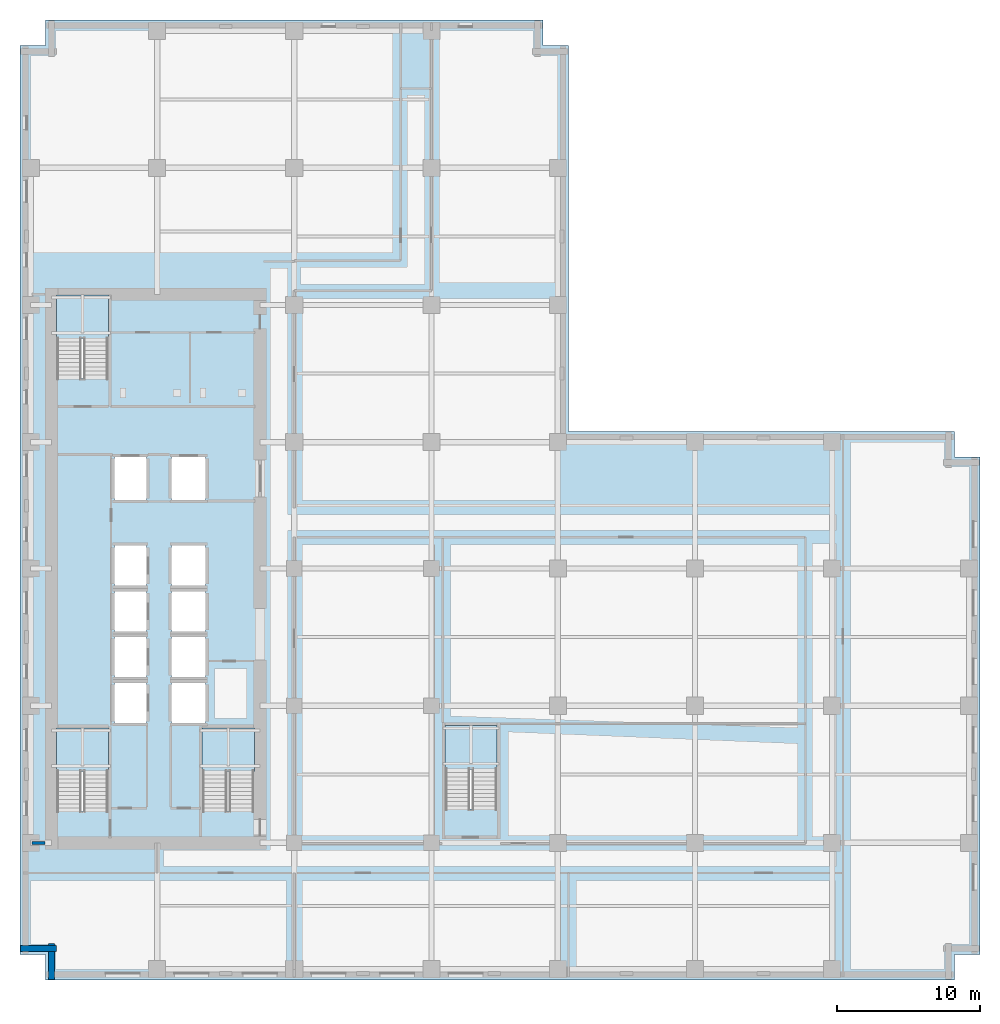
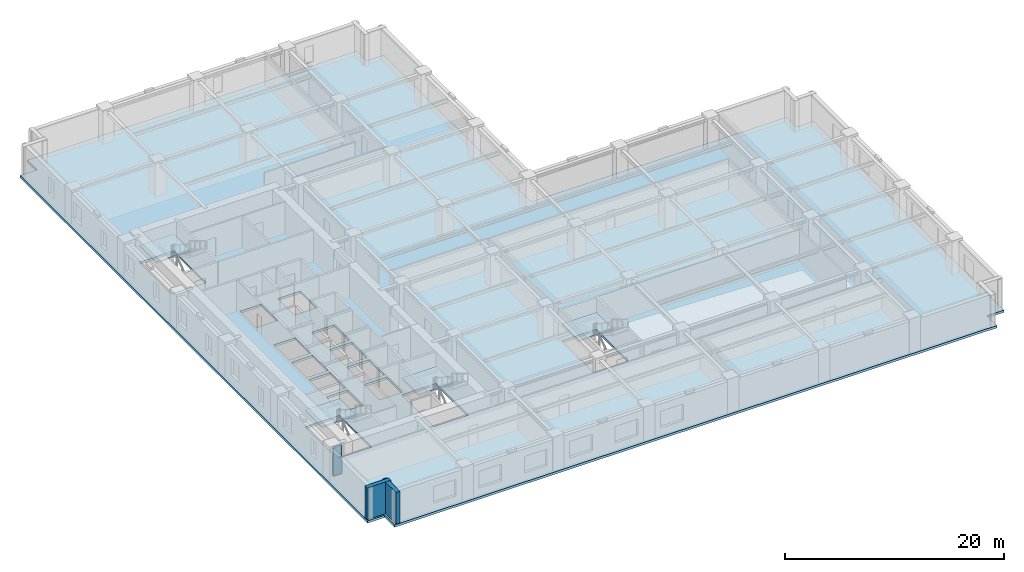
# One storey, part 3 of 13: 5 slabs, 3 walls, 4 elements without a shape of their own.
"""IFC4 building model written with IfcOpenShell, lengths in metres."""

from ifc_helpers import new_model, si_unit, direction, frame, frame_2d, origin, place, context, subcontext, project, spatial, polyline, rectangle, outline, extrude, material, layer, layer_set, type_object, element, aggregate, save


model = new_model("IFC4")

# Units and contexts
model_context = context("Model", 3, precision=1e-05, world=origin(), true_north=direction((0.0, 1.0)))
body_context = subcontext(model_context, "Body", "Model", "MODEL_VIEW")
ifc_project = project(units=[si_unit("LENGTHUNIT", "METRE"), si_unit("AREAUNIT", "SQUARE_METRE"), si_unit("VOLUMEUNIT", "CUBIC_METRE"), si_unit("PLANEANGLEUNIT", "RADIAN"), si_unit("MASSUNIT", "GRAM", prefix="KILO")], contexts=[model_context])

# Site, building, storey
site_placement = place(None, origin())
site = spatial("IfcSite", under=ifc_project, at=site_placement, CompositionType="ELEMENT")
building_placement = place(site_placement, origin())
building = spatial("IfcBuilding", under=site, at=building_placement, Name="Norrvale University Quadrangle", CompositionType="ELEMENT")
storey_placement = place(building_placement, frame((0.0, 0.0, 47.0)))
storey = spatial("IfcBuildingStorey", under=building, at=storey_placement, Name="L11", CompositionType="ELEMENT", Elevation=47.0)

# Stair, slab
ifc_material_1 = material(Name="Concrete C40/50", Category="concrete")
stair_type = type_object("IfcStairType", Name="Stair Tower Typ 3800", PredefinedType="TWO_STRAIGHT_RUN_STAIR", material=ifc_material_1)
stair_1_placement = place(storey_placement, origin())
stair_1 = element("IfcStair", 1, at=stair_1_placement, inside=storey, type_object=stair_type, Name="Exit Stair ST-01 L11", PredefinedType="TWO_STRAIGHT_RUN_STAIR")
ifc_layer_1 = layer(ifc_material_1, 0.199951171875, Name="Concrete C40/50")
ifc_layer_set_1 = layer_set([ifc_layer_1], Name="Concrete C40/50")
slab_type_1 = type_object("IfcSlabType", Name="Slab Landing 200", PredefinedType="LANDING", material=ifc_layer_set_1)
slab_1_placement = place(storey_placement, frame((0.0, 0.0, 1.699951171875)))
slab_1 = element("IfcSlab", 2, at=slab_1_placement, type_object=slab_type_1, Name="Exit Stair ST-01 L11 Mid Landing", PredefinedType="LANDING", context=body_context, shape_type="SweptSolid", body=[
    extrude(outline(polyline([(2.550048828125, 14.590087890625), (6.199951171875, 14.590087890625), (6.199951171875, 17.64990234375), (2.550048828125, 17.64990234375), (2.550048828125, 14.590087890625)])), origin(), (0.0, 0.0, 1.0), 0.199951171875),
])
aggregate(stair_1, [slab_1])

stair_2_placement = place(storey_placement, origin())
stair_2 = element("IfcStair", 3, at=stair_2_placement, inside=storey, type_object=stair_type, Name="Exit Stair ST-02 L11", PredefinedType="TWO_STRAIGHT_RUN_STAIR")
slab_2_placement = place(storey_placement, frame((0.0, 0.0, 1.699951171875)))
slab_2 = element("IfcSlab", 4, at=slab_2_placement, type_object=slab_type_1, Name="Exit Stair ST-02 L11 Mid Landing", PredefinedType="LANDING", context=body_context, shape_type="SweptSolid", body=[
    extrude(outline(polyline([(2.550048828125, 44.889892578125), (6.199951171875, 44.889892578125), (6.199951171875, 47.949951171875), (2.550048828125, 47.949951171875), (2.550048828125, 44.889892578125)])), origin(), (0.0, 0.0, 1.0), 0.199951171875),
])
aggregate(stair_2, [slab_2])

stair_3_placement = place(storey_placement, origin())
stair_3 = element("IfcStair", 5, at=stair_3_placement, inside=storey, type_object=stair_type, Name="Exit Stair ST-03 L11", PredefinedType="TWO_STRAIGHT_RUN_STAIR")
slab_3_placement = place(storey_placement, frame((0.0, 0.0, 1.699951171875)))
slab_3 = element("IfcSlab", 6, at=slab_3_placement, type_object=slab_type_1, Name="Exit Stair ST-03 L11 Mid Landing", PredefinedType="LANDING", context=body_context, shape_type="SweptSolid", body=[
    extrude(outline(polyline([(12.75, 14.590087890625), (16.39990234375, 14.590087890625), (16.39990234375, 17.64990234375), (12.75, 17.64990234375), (12.75, 14.590087890625)])), origin(), (0.0, 0.0, 1.0), 0.199951171875),
])
aggregate(stair_3, [slab_3])

stair_4_placement = place(storey_placement, origin())
stair_4 = element("IfcStair", 7, at=stair_4_placement, inside=storey, type_object=stair_type, Name="Exit Stair ST-04 L11", PredefinedType="TWO_STRAIGHT_RUN_STAIR")
slab_4_placement = place(storey_placement, frame((0.0, 0.0, 1.699951171875)))
slab_4 = element("IfcSlab", 8, at=slab_4_placement, type_object=slab_type_1, Name="Exit Stair ST-04 L11 Mid Landing", PredefinedType="LANDING", context=body_context, shape_type="SweptSolid", body=[
    extrude(outline(polyline([(29.75, 14.739990234375), (33.39990234375, 14.739990234375), (33.39990234375, 17.800048828125), (29.75, 17.800048828125), (29.75, 14.739990234375)])), origin(), (0.0, 0.0, 1.0), 0.199951171875),
])
aggregate(stair_4, [slab_4])

# Slab
ifc_layer_2 = layer(ifc_material_1, 0.260009765625, Name="Concrete C40/50")
ifc_layer_set_2 = layer_set([ifc_layer_2], Name="Concrete C40/50")
slab_type_2 = type_object("IfcSlabType", Name="Slab Tower Typ 260", PredefinedType="FLOOR", material=ifc_layer_set_2)
slab_5_placement = place(storey_placement, frame((0.0, 0.0, -0.260009765625)))
element("IfcSlab", 9, at=slab_5_placement, inside=storey, type_object=slab_type_2, Name="Tower L11 Floor Slab", PredefinedType="FLOOR", context=body_context, shape_type="SweptSolid", body=[
    extrude(outline(polyline([(1.800048828125, 0.0), (65.39990234375, 0.0), (65.39990234375, 1.800048828125), (67.199951171875, 1.800048828125), (67.199951171875, 36.60009765625), (65.39990234375, 36.60009765625), (65.39990234375, 38.39990234375), (38.39990234375, 38.39990234375), (38.39990234375, 65.39990234375), (36.60009765625, 65.39990234375), (36.60009765625, 67.199951171875), (1.800048828125, 67.199951171875), (1.800048828125, 65.39990234375), (0.0, 65.39990234375), (0.0, 1.800048828125), (1.800048828125, 1.800048828125), (1.800048828125, 0.0)]), holes=[polyline([(2.550048828125, 11.81005859375), (6.199951171875, 11.81005859375), (6.199951171875, 17.64990234375), (2.550048828125, 17.64990234375), (2.550048828125, 11.81005859375)]), polyline([(2.550048828125, 42.110107421875), (6.199951171875, 42.110107421875), (6.199951171875, 47.949951171875), (2.550048828125, 47.949951171875), (2.550048828125, 42.110107421875)]), polyline([(12.75, 11.81005859375), (16.39990234375, 11.81005859375), (16.39990234375, 17.64990234375), (12.75, 17.64990234375), (12.75, 11.81005859375)]), polyline([(29.75, 11.9599609375), (33.39990234375, 11.9599609375), (33.39990234375, 17.800048828125), (29.75, 17.800048828125), (29.75, 11.9599609375)]), polyline([(6.60009765625, 18.0), (8.85009765625, 18.0), (8.85009765625, 20.800048828125), (6.60009765625, 20.800048828125), (6.60009765625, 18.0)]), polyline([(6.60009765625, 21.199951171875), (8.85009765625, 21.199951171875), (8.85009765625, 24.0), (6.60009765625, 24.0), (6.60009765625, 21.199951171875)]), polyline([(6.60009765625, 24.39990234375), (8.85009765625, 24.39990234375), (8.85009765625, 27.199951171875), (6.60009765625, 27.199951171875), (6.60009765625, 24.39990234375)]), polyline([(6.60009765625, 27.60009765625), (8.85009765625, 27.60009765625), (8.85009765625, 30.39990234375), (6.60009765625, 30.39990234375), (6.60009765625, 27.60009765625)]), polyline([(10.60009765625, 18.0), (13.0, 18.0), (13.0, 20.800048828125), (10.60009765625, 20.800048828125), (10.60009765625, 18.0)]), polyline([(10.60009765625, 21.199951171875), (13.0, 21.199951171875), (13.0, 24.0), (10.60009765625, 24.0), (10.60009765625, 21.199951171875)]), polyline([(10.60009765625, 24.39990234375), (13.0, 24.39990234375), (13.0, 27.199951171875), (10.60009765625, 27.199951171875), (10.60009765625, 24.39990234375)]), polyline([(10.60009765625, 27.60009765625), (13.0, 27.60009765625), (13.0, 30.39990234375), (10.60009765625, 30.39990234375), (10.60009765625, 27.60009765625)]), polyline([(6.60009765625, 33.60009765625), (8.85009765625, 33.60009765625), (8.85009765625, 36.60009765625), (6.60009765625, 36.60009765625), (6.60009765625, 33.60009765625)]), polyline([(10.60009765625, 33.60009765625), (13.0, 33.60009765625), (13.0, 36.60009765625), (10.60009765625, 36.60009765625), (10.60009765625, 33.60009765625)])]), origin(), (0.0, 0.0, 1.0), 0.260009765625),
])

# Walls
ifc_material_2 = material(Name="Buff Norman Clay Brick Masonry", Category="masonry")
ifc_layer_3 = layer(ifc_material_2, 0.419921875, Name="Buff Norman Clay Brick Masonry")
ifc_layer_set_3 = layer_set([ifc_layer_3], Name="Buff Norman Clay Brick Masonry")
wall_type_1 = type_object("IfcWallType", Name="Wall Buff Brick 420", PredefinedType="SOLIDWALL", material=ifc_layer_set_3)
for number, where, z_axis, x_axis, name in (
    (10, (0.0400390625, 2.18994140625, 0.0), (0.0, 0.0, 1.0), (1.0, 0.0, 0.0), "Exterior Brick Facade Wall L11-15.1"),
    (11, (2.18994140625, 2.5400390625, 0.0), (0.0, 0.0, 1.0), (0.0, -1.0, 0.0), "Exterior Brick Facade Wall L11-16.1"),
):
    element("IfcWall", number, at=place(storey_placement, frame(where, z_axis=z_axis, x_axis=x_axis)), inside=storey, type_object=wall_type_1, Name=name, PredefinedType="SOLIDWALL", context=body_context, shape_type="SweptSolid", body=[
        extrude(rectangle(XDim=2.5, YDim=0.419921875, at=frame_2d((1.25, 0.0))), origin(), (0.0, 0.0, 1.0), 3.5400390625),
    ])
ifc_material_3 = material(Name="Concrete Blockwork 20 MPa Rated Wall", Category="masonry")
ifc_layer_4 = layer(ifc_material_3, 0.199951171875, Name="Concrete Blockwork 20 MPa Rated Wall")
ifc_layer_set_4 = layer_set([ifc_layer_4], Name="Concrete Blockwork 20 MPa Rated Wall")
wall_type_2 = type_object("IfcWallType", Name="Wall Lobby 200", PredefinedType="SOLIDWALL", material=ifc_layer_set_4)
wall_placement = place(storey_placement, frame((0.85009765625, 9.60009765625, 0.0), z_axis=(0.0, 0.0, 1.0), x_axis=(1.0, 0.0, 0.0)))
element("IfcWall", 12, at=wall_placement, inside=storey, type_object=wall_type_2, Name="Interior Partition WL-L11-CWRET-S", PredefinedType="SOLIDWALL", context=body_context, shape_type="SweptSolid", body=[
    extrude(rectangle(XDim=0.89501953125, YDim=0.199951171875, at=frame_2d((0.447509765625, 0.0))), origin(), (0.0, 0.0, 1.0), 3.18408203125),
])

save(model, "model.ifc")
